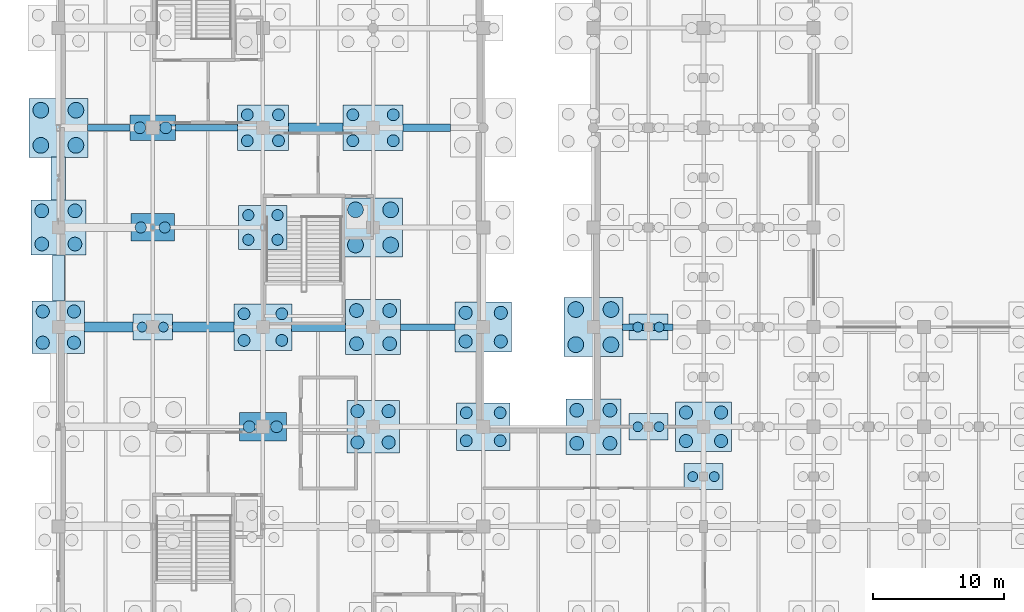
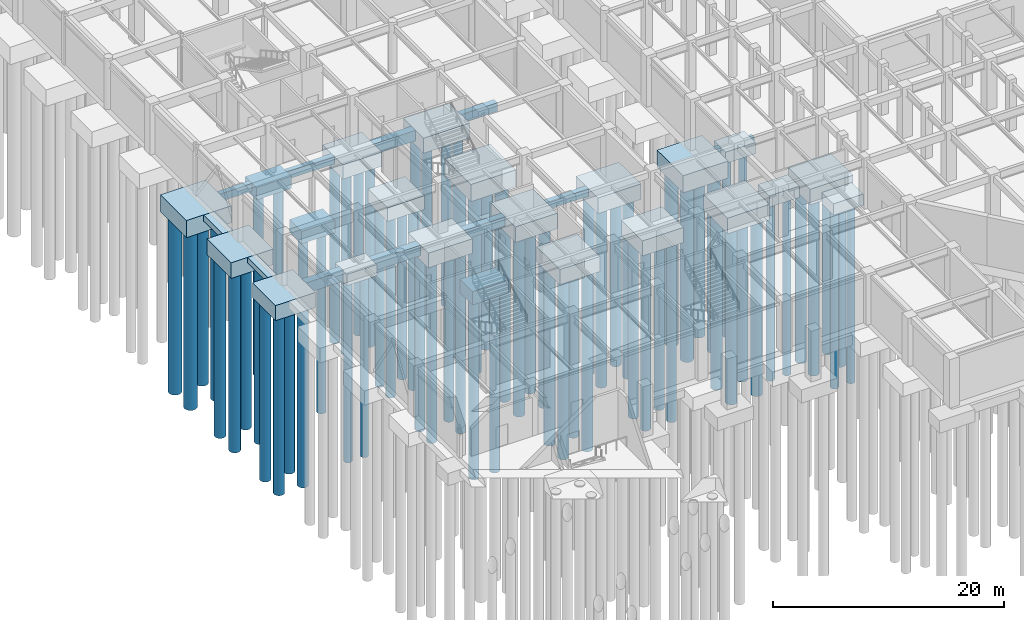
# One storey, part 3 of 52: 74 piles, 33 footings.
"""IFC4 building model written with IfcOpenShell, lengths in metres."""

import ifcopenshell
import ifcopenshell.guid

model = None  # the IFC model being written
_history = None  # IfcOwnerHistory: only IFC2X3 demands one
_inside = {}  # id of a spatial element -> (the spatial element, [elements in it])
_under = {}  # id of a project, library or spatial element -> (it, [spatial elements below it])
_declared = {}  # id of a project -> (the project, [libraries it declares])
_typed = {}  # id of a type object -> (the type object, [elements of that type])
_made_of = {}  # id of a material, layer set ... -> (it, [elements and type objects made of it])


def new_model(schema):
    """Start an empty IFC model of exactly this schema.

    Asked for "IFC4X3", IfcOpenShell would pick the latest addendum, in which some entities
    have other attributes; the version numbers below select the first issue.
    IFC2X3 requires an IfcOwnerHistory on every rooted entity: one is made here for all.
    """
    global model, _history
    if schema == "IFC4X3":
        model = ifcopenshell.file(schema_version=(4, 3, 0, 0))
    else:
        model = ifcopenshell.file(schema=schema)
    _inside.clear()
    _under.clear()
    _declared.clear()
    _typed.clear()
    _made_of.clear()
    _history = None
    if model.schema == "IFC2X3":
        org = make("IfcOrganization", Name="unknown")
        user = make(
            "IfcPersonAndOrganization",
            ThePerson=make("IfcPerson", FamilyName="unknown"),
            TheOrganization=org,
        )
        app = make(
            "IfcApplication",
            ApplicationDeveloper=org,
            Version="unknown",
            ApplicationFullName="unknown",
            ApplicationIdentifier="unknown",
        )
        _history = make(
            "IfcOwnerHistory",
            OwningUser=user,
            OwningApplication=app,
            ChangeAction="ADDED",
            CreationDate=0,
        )
    return model


def make(cls, **values):
    """One entity of the class cls with the attributes given. An attribute that is None is left unset."""
    return model.create_entity(
        cls, **{name: value for name, value in values.items() if value is not None}
    )


def rooted(cls, **values):
    """An entity with a GlobalId (a new one), such as an element, a storey or a relation."""
    return make(cls, GlobalId=ifcopenshell.guid.new(), OwnerHistory=_history, **values)


def si_unit(unit_type, name, prefix=None):
    """IfcSIUnit, for example si_unit("LENGTHUNIT", "METRE", prefix="MILLI")."""
    return make("IfcSIUnit", UnitType=unit_type, Prefix=prefix, Name=name)


def assignment(units):
    """IfcUnitAssignment: the units of a project."""
    return None if units is None else make("IfcUnitAssignment", Units=units)


def point(xyz):
    """IfcCartesianPoint."""
    return None if xyz is None else make("IfcCartesianPoint", Coordinates=xyz)


def direction(xyz):
    """IfcDirection."""
    return None if xyz is None else make("IfcDirection", DirectionRatios=xyz)


def frame(location, z_axis=None, x_axis=None):
    """IfcAxis2Placement3D, a coordinate frame: its origin and axes. An axis left out is left unset."""
    return make(
        "IfcAxis2Placement3D",
        Location=point(location),
        Axis=direction(z_axis),
        RefDirection=direction(x_axis),
    )


def frame_2d(location, x_axis=None):
    """IfcAxis2Placement2D, a coordinate frame in the plane: its origin and x axis."""
    return make(
        "IfcAxis2Placement2D", Location=point(location), RefDirection=direction(x_axis)
    )


def origin():
    """The frame at (0, 0, 0) with its axes left unset."""
    return frame((0.0, 0.0, 0.0))


def origin_2d():
    """The frame at (0, 0) in the plane with its x axis left unset."""
    return frame_2d((0.0, 0.0))


def place(relative_to, where):
    """IfcLocalPlacement: puts the frame where relative to a parent placement (None: the world)."""
    return make(
        "IfcLocalPlacement", PlacementRelTo=relative_to, RelativePlacement=where
    )


def context(
    kind, dimensions, precision=None, world=None, true_north=None, identifier=None
):
    """IfcGeometricRepresentationContext, for example the 3D "Model" context."""
    return make(
        "IfcGeometricRepresentationContext",
        ContextIdentifier=identifier,
        ContextType=kind,
        CoordinateSpaceDimension=dimensions,
        Precision=precision,
        WorldCoordinateSystem=world,
        TrueNorth=true_north,
    )


def subcontext(parent, identifier, kind, view, scale=None):
    """IfcGeometricRepresentationSubContext, for example "Body" below "Model"."""
    return make(
        "IfcGeometricRepresentationSubContext",
        ContextIdentifier=identifier,
        ContextType=kind,
        ParentContext=parent,
        TargetScale=scale,
        TargetView=view,
    )


def project(units=None, contexts=None):
    """IfcProject with its units and contexts."""
    return rooted(
        "IfcProject",
        Name="project",
        RepresentationContexts=contexts,
        UnitsInContext=assignment(units),
    )


def spatial(cls, under=None, at=None, **own):
    """A site, building, storey or space (cls), placed at a placement, below another one or the project."""
    s = rooted(cls, ObjectPlacement=at, **own)
    if under is not None:
        _under.setdefault(under.id(), (under, []))[1].append(s)
    return s


def profile(cls, at=None, kind="AREA", **sizes):
    """A parametric profile (cls). Its sizes go by their IFC names, for example OverallWidth=200.0."""
    return make(cls, ProfileType=kind, Position=at, **sizes)


def rectangle(**sizes):
    """IfcRectangleProfileDef."""
    return profile("IfcRectangleProfileDef", **sizes)


def circle(**sizes):
    """IfcCircleProfileDef."""
    return profile("IfcCircleProfileDef", **sizes)


def extrude(swept, where, along, depth):
    """IfcExtrudedAreaSolid: the profile swept, set in the frame where, extruded along a direction by depth."""
    return make(
        "IfcExtrudedAreaSolid",
        SweptArea=swept,
        Position=where,
        ExtrudedDirection=direction(along),
        Depth=depth,
    )


def shape(context_of_items, identifier, shape_type, items):
    """IfcShapeRepresentation: the items that make up one representation, for example the "Body"."""
    return make(
        "IfcShapeRepresentation",
        ContextOfItems=context_of_items,
        RepresentationIdentifier=identifier,
        RepresentationType=shape_type,
        Items=items,
    )


def material(Name=None, Category=None):
    """IfcMaterial."""
    return make("IfcMaterial", Name=Name, Category=Category)


def material_profile(
    of_material, cross_section, Name=None, Category=None, Priority=None
):
    """IfcMaterialProfile: a cross section and its material."""
    return make(
        "IfcMaterialProfile",
        Name=Name,
        Material=of_material,
        Profile=cross_section,
        Priority=Priority,
        Category=Category,
    )


def profile_set(profiles, Name=None, composite=None):
    """IfcMaterialProfileSet."""
    return make(
        "IfcMaterialProfileSet",
        Name=Name,
        MaterialProfiles=profiles,
        CompositeProfile=composite,
    )


def made_of(thing, what):
    """Note that an element or type object is made of a material, layer set ...; save() writes the relation."""
    if what is not None:
        _made_of.setdefault(what.id(), (what, []))[1].append(thing)
    return thing


def type_object(cls, material=None, **own):
    """A type object (cls), such as IfcWallType, which elements share."""
    return made_of(rooted(cls, **own), material)


def element(
    cls,
    number,
    at=None,
    inside=None,
    cuts=None,
    type_object=None,
    material=None,
    context=None,
    identifier="Body",
    shape_type=None,
    held_by="IfcProductDefinitionShape",
    body=None,
    shapes=None,
    **own,
):
    """One element of the class cls, such as IfcWall. Its Tag is "e" and its number.

    at: its placement. inside: the storey or other place that contains it. cuts: it is an
    opening in that element (IfcRelVoidsElement). A single representation is given by context,
    identifier, shape_type and body (its items); several are given by shapes. held_by: the class
    of the entity that holds the representations. save() writes the other relations.
    """
    e = rooted(cls, Tag="e%d" % number, ObjectPlacement=at, **own)
    if body is not None:
        shapes = [shape(context, identifier, shape_type, body)]
    if shapes is not None:
        e.Representation = make(held_by, Representations=shapes)
    if inside is not None:
        _inside.setdefault(inside.id(), (inside, []))[1].append(e)
    if cuts is not None:
        rooted(
            "IfcRelVoidsElement", RelatingBuildingElement=cuts, RelatedOpeningElement=e
        )
    if type_object is not None:
        _typed.setdefault(type_object.id(), (type_object, []))[1].append(e)
    return made_of(e, material)


def aggregate(whole, parts):
    """IfcRelAggregates: a whole, such as a stair, and the parts it consists of."""
    return rooted("IfcRelAggregates", RelatingObject=whole, RelatedObjects=parts)


def save(model, path):
    """Write the relations noted so far, then the file.

    IfcRelAggregates (storeys below a building ...), IfcRelContainedInSpatialStructure (elements
    in a storey), IfcRelDefinesByType, IfcRelAssociatesMaterial and IfcRelDeclares: one each for
    every whole, place, type object, material and project.
    """
    for whole, parts in _under.values():
        aggregate(whole, parts)
    for where, things in _inside.values():
        rooted(
            "IfcRelContainedInSpatialStructure",
            RelatedElements=things,
            RelatingStructure=where,
        )
    for kind, things in _typed.values():
        rooted("IfcRelDefinesByType", RelatedObjects=things, RelatingType=kind)
    for what, things in _made_of.values():
        rooted("IfcRelAssociatesMaterial", RelatedObjects=things, RelatingMaterial=what)
    for by, libraries in _declared.values():
        rooted("IfcRelDeclares", RelatingContext=by, RelatedDefinitions=libraries)
    model.write(path)


model = new_model("IFC4")

# Units and contexts
model_context = context("Model", 3, precision=1e-05, world=origin(), true_north=direction((0.0, 1.0)))
body_context = subcontext(model_context, "Body", "Model", "MODEL_VIEW")
ifc_project = project(units=[si_unit("LENGTHUNIT", "METRE"), si_unit("AREAUNIT", "SQUARE_METRE"), si_unit("VOLUMEUNIT", "CUBIC_METRE"), si_unit("PLANEANGLEUNIT", "RADIAN"), si_unit("MASSUNIT", "GRAM", prefix="KILO")], contexts=[model_context])

# Site, building, storey
site_placement = place(None, origin())
site = spatial("IfcSite", under=ifc_project, at=site_placement, CompositionType="ELEMENT")
building_placement = place(site_placement, origin())
building = spatial("IfcBuilding", under=site, at=building_placement, Name="Xicomal Pleat Aquarium", CompositionType="ELEMENT")
storey_placement = place(building_placement, frame((0.0, 0.0, -5.39990234375)))
storey = spatial("IfcBuildingStorey", under=building, at=storey_placement, Name="B1", CompositionType="ELEMENT", Elevation=-5.39990234375)

# Footings
ifc_material_1 = material(Name="Concrete C40/50", Category="concrete")
ifc_material_profile_1 = material_profile(ifc_material_1, rectangle(XDim=0.5, YDim=0.800048828125, at=origin_2d()), Name="FB-01 500x800")
ifc_profile_set_1 = profile_set([ifc_material_profile_1], Name="Concrete C40/50")
footing_type_1 = type_object("IfcFootingType", Name="FTG-FB-500x800", PredefinedType="FOOTING_BEAM", material=ifc_profile_set_1)
footing_1_placement = place(storey_placement, frame((5.239990234375, 60.800048828125, -1.0), z_axis=(1.0, 0.0, 0.0), x_axis=(0.0, 1.0, 0.0)))
element("IfcFooting", 1, at=footing_1_placement, inside=storey, type_object=footing_type_1, Name="Foundation tie beam 01-02/J", PredefinedType="FOOTING_BEAM", context=body_context, shape_type="SweptSolid", body=[
    extrude(rectangle(XDim=0.5, YDim=0.800048828125, at=origin_2d()), origin(), (0.0, 0.0, 1.0), 3.219970703125),
])
footing_2_placement = place(storey_placement, frame((11.93994140625, 60.800048828125, -1.0), z_axis=(1.0, 0.0, 0.0), x_axis=(0.0, 1.0, 0.0)))
element("IfcFooting", 2, at=footing_2_placement, inside=storey, type_object=footing_type_1, Name="Foundation tie beam 02-03/J", PredefinedType="FOOTING_BEAM", context=body_context, shape_type="SweptSolid", body=[
    extrude(rectangle(XDim=0.5, YDim=0.800048828125, at=origin_2d()), origin(), (0.0, 0.0, 1.0), 4.719970703125),
])
footing_3_placement = place(storey_placement, frame((29.090087890625, 45.60009765625, -1.0), z_axis=(1.0, 0.0, 0.0), x_axis=(0.0, 1.0, 0.0)))
element("IfcFooting", 3, at=footing_3_placement, inside=storey, type_object=footing_type_1, Name="Foundation tie beam 04-05/G", PredefinedType="FOOTING_BEAM", context=body_context, shape_type="SweptSolid", body=[
    extrude(rectangle(XDim=0.5, YDim=0.800048828125, at=origin_2d()), origin(), (0.0, 0.0, 1.0), 4.169921875),
])
footing_4_placement = place(storey_placement, frame((46.0400390625, 45.60009765625, -1.35009765625), z_axis=(1.0, 0.0, 0.0), x_axis=(0.0, 1.0, 0.0)))
element("IfcFooting", 4, at=footing_4_placement, inside=storey, type_object=footing_type_1, Name="Foundation tie beam 06-07/G", PredefinedType="FOOTING_BEAM", context=body_context, shape_type="SweptSolid", body=[
    extrude(rectangle(XDim=0.5, YDim=0.800048828125, at=origin_2d()), origin(), (0.0, 0.0, 1.0), 3.820068359375),
])
ifc_material_2 = material(Name="Concrete C40/50", Category="concrete")
ifc_material_profile_2 = material_profile(ifc_material_2, rectangle(XDim=0.60009765625, YDim=0.89990234375, at=origin_2d()), Name="FB-02 600x900")
ifc_profile_set_2 = profile_set([ifc_material_profile_2], Name="Concrete C40/50")
footing_type_2 = type_object("IfcFootingType", Name="FTG-FB-600x900", PredefinedType="FOOTING_BEAM", material=ifc_profile_set_2)
footing_5_placement = place(storey_placement, frame((29.2900390625, 60.800048828125, -1.050048828125), z_axis=(1.0, 0.0, 0.0), x_axis=(0.0, 1.0, 0.0)))
element("IfcFooting", 5, at=footing_5_placement, inside=storey, type_object=footing_type_2, Name="Foundation tie beam 04-05/J", PredefinedType="FOOTING_BEAM", context=body_context, shape_type="SweptSolid", body=[
    extrude(rectangle(XDim=0.60009765625, YDim=0.89990234375, at=origin_2d()), origin(), (0.0, 0.0, 1.0), 3.619873046875),
])
ifc_material_3 = material(Name="Concrete C40/50", Category="concrete")
ifc_material_profile_3 = material_profile(ifc_material_3, rectangle(XDim=0.64990234375, YDim=1.0, at=origin_2d()), Name="FB-03 650x1000")
ifc_profile_set_3 = profile_set([ifc_material_profile_3], Name="Concrete C40/50")
footing_type_3 = type_object("IfcFootingType", Name="FTG-FB-650x1000", PredefinedType="FOOTING_BEAM", material=ifc_profile_set_3)
footing_6_placement = place(storey_placement, frame((20.7900390625, 45.60009765625, -1.10009765625), z_axis=(1.0, 0.0, 0.0), x_axis=(0.0, 1.0, 0.0)))
element("IfcFooting", 6, at=footing_6_placement, inside=storey, type_object=footing_type_3, Name="Foundation tie beam 03-04/G", PredefinedType="FOOTING_BEAM", context=body_context, shape_type="SweptSolid", body=[
    extrude(rectangle(XDim=0.64990234375, YDim=1.0, at=origin_2d()), origin(), (0.0, 0.0, 1.0), 4.119873046875),
])
ifc_material_4 = material(Name="Concrete C40/50", Category="concrete")
ifc_material_profile_4 = material_profile(ifc_material_4, rectangle(XDim=0.75, YDim=1.10009765625, at=origin_2d()), Name="FB-04 750x1100")
ifc_profile_set_4 = profile_set([ifc_material_profile_4], Name="Concrete C40/50")
footing_type_4 = type_object("IfcFootingType", Name="FTG-FB-750x1100", PredefinedType="FOOTING_BEAM", material=ifc_profile_set_4)
footing_7_placement = place(storey_placement, frame((4.989990234375, 45.60009765625, -1.150146484375), z_axis=(1.0, 0.0, 0.0), x_axis=(0.0, 1.0, 0.0)))
element("IfcFooting", 7, at=footing_7_placement, inside=storey, type_object=footing_type_4, Name="Foundation tie beam 01-02/G", PredefinedType="FOOTING_BEAM", context=body_context, shape_type="SweptSolid", body=[
    extrude(rectangle(XDim=0.75, YDim=1.10009765625, at=origin_2d()), origin(), (0.0, 0.0, 1.0), 3.719970703125),
])
footing_8_placement = place(storey_placement, frame((11.68994140625, 45.60009765625, -1.150146484375), z_axis=(1.0, 0.0, 0.0), x_axis=(0.0, 1.0, 0.0)))
element("IfcFooting", 8, at=footing_8_placement, inside=storey, type_object=footing_type_4, Name="Foundation tie beam 02-03/G", PredefinedType="FOOTING_BEAM", context=body_context, shape_type="SweptSolid", body=[
    extrude(rectangle(XDim=0.75, YDim=1.10009765625, at=origin_2d()), origin(), (0.0, 0.0, 1.0), 4.719970703125),
])
footing_9_placement = place(storey_placement, frame((20.5400390625, 60.800048828125, -1.150146484375), z_axis=(1.0, 0.0, 0.0), x_axis=(0.0, 1.0, 0.0)))
element("IfcFooting", 9, at=footing_9_placement, inside=storey, type_object=footing_type_4, Name="Foundation tie beam 03-04/J", PredefinedType="FOOTING_BEAM", context=body_context, shape_type="SweptSolid", body=[
    extrude(rectangle(XDim=0.75, YDim=1.10009765625, at=origin_2d()), origin(), (0.0, 0.0, 1.0), 4.169921875),
])
ifc_material_5 = material(Name="Concrete C40/50", Category="concrete")
footing_type_5 = type_object("IfcFootingType", Name="FTG-PC-3000x2000x1200", PredefinedType="PILE_CAP", material=ifc_material_5)
for number, where, z_axis, x_axis, name in (
    (10, (10.199951171875, 45.60009765625, -1.80029296875), (0.0, 0.0, 1.0), (1.0, 0.0, 0.0), "Pile cap 02-G"),
    (11, (48.0, 38.0, -2.14990234375), (0.0, 0.0, 1.0), (1.0, 0.0, 0.0), "Pile cap SUB-01"),
    (12, (48.0, 45.60009765625, -2.14990234375), (0.0, 0.0, 1.0), (1.0, 0.0, 0.0), "Pile cap SUB-02"),
    (13, (52.199951171875, 34.199951171875, -2.14990234375), (0.0, 0.0, 1.0), (1.0, 0.0, 0.0), "Pile cap SUB-34"),
):
    element("IfcFooting", number, at=place(storey_placement, frame(where, z_axis=z_axis, x_axis=x_axis)), inside=storey, type_object=footing_type_5, Name=name, PredefinedType="PILE_CAP", context=body_context, shape_type="SweptSolid", body=[
        extrude(rectangle(XDim=3.0, YDim=2.0, at=origin_2d()), origin(), (0.0, 0.0, 1.0), 1.199951171875),
    ])
ifc_material_6 = material(Name="Concrete C40/50", Category="concrete")
footing_type_6 = type_object("IfcFootingType", Name="FTG-PC-3300x2100x1300", PredefinedType="PILE_CAP", material=ifc_material_6)
footing_10_placement = place(storey_placement, frame((10.199951171875, 53.199951171875, -1.89990234375), z_axis=(0.0, 0.0, 1.0), x_axis=(1.0, 0.0, 0.0)))
element("IfcFooting", 14, at=footing_10_placement, inside=storey, type_object=footing_type_6, Name="Pile cap 02-H", PredefinedType="PILE_CAP", context=body_context, shape_type="SweptSolid", body=[
    extrude(rectangle(XDim=3.300048828125, YDim=2.10009765625, at=origin_2d()), origin(), (0.0, 0.0, 1.0), 1.300048828125),
])
ifc_material_7 = material(Name="Concrete C40/50", Category="concrete")
footing_type_7 = type_object("IfcFootingType", Name="FTG-PC-3500x1950x1300", PredefinedType="PILE_CAP", material=ifc_material_7)
footing_11_placement = place(storey_placement, frame((10.199951171875, 60.800048828125, -1.89990234375), z_axis=(0.0, 0.0, 1.0), x_axis=(1.0, 0.0, 0.0)))
element("IfcFooting", 15, at=footing_11_placement, inside=storey, type_object=footing_type_7, Name="Pile cap 02-J", PredefinedType="PILE_CAP", context=body_context, shape_type="SweptSolid", body=[
    extrude(rectangle(XDim=3.5, YDim=1.949951171875, at=origin_2d()), origin(), (0.0, 0.0, 1.0), 1.300048828125),
])
ifc_material_8 = material(Name="Concrete C40/50", Category="concrete")
footing_type_8 = type_object("IfcFootingType", Name="FTG-PC-3600x2200x1400", PredefinedType="PILE_CAP", material=ifc_material_8)
footing_12_placement = place(storey_placement, frame((18.60009765625, 38.0, -2.0), z_axis=(0.0, 0.0, 1.0), x_axis=(1.0, 0.0, 0.0)))
element("IfcFooting", 16, at=footing_12_placement, inside=storey, type_object=footing_type_8, Name="Pile cap 03-F", PredefinedType="PILE_CAP", context=body_context, shape_type="SweptSolid", body=[
    extrude(rectangle(XDim=3.60009765625, YDim=2.199951171875, at=origin_2d()), origin(), (0.0, 0.0, 1.0), 1.39990234375),
])
ifc_material_9 = material(Name="Concrete C40/50", Category="concrete")
footing_type_9 = type_object("IfcFootingType", Name="FTG-PC-3700x3350x1450", PredefinedType="PILE_CAP", material=ifc_material_9)
footing_13_placement = place(storey_placement, frame((18.60009765625, 53.199951171875, -2.05029296875), z_axis=(0.0, 0.0, 1.0), x_axis=(1.0, 0.0, 0.0)))
element("IfcFooting", 17, at=footing_13_placement, inside=storey, type_object=footing_type_9, Name="Pile cap 03-H", PredefinedType="PILE_CAP", context=body_context, shape_type="SweptSolid", body=[
    extrude(rectangle(XDim=3.699951171875, YDim=3.35009765625, at=origin_2d()), origin(), (0.0, 0.0, 1.0), 1.449951171875),
])
ifc_material_10 = material(Name="Concrete C40/50", Category="concrete")
footing_type_10 = type_object("IfcFootingType", Name="FTG-PC-3900x3500x1500", PredefinedType="PILE_CAP", material=ifc_material_10)
footing_14_placement = place(storey_placement, frame((18.60009765625, 60.800048828125, -2.10009765625), z_axis=(0.0, 0.0, 1.0), x_axis=(1.0, 0.0, 0.0)))
element("IfcFooting", 18, at=footing_14_placement, inside=storey, type_object=footing_type_10, Name="Pile cap 03-J", PredefinedType="PILE_CAP", context=body_context, shape_type="SweptSolid", body=[
    extrude(rectangle(XDim=3.89990234375, YDim=3.5, at=origin_2d()), origin(), (0.0, 0.0, 1.0), 1.5),
])
ifc_material_11 = material(Name="Concrete C40/50", Category="concrete")
footing_type_11 = type_object("IfcFootingType", Name="FTG-PC-4000x4000x1600", PredefinedType="PILE_CAP", material=ifc_material_11)
for number, where, z_axis, x_axis, name in (
    (19, (3.0, 45.60009765625, -2.2001953125), (0.0, 0.0, 1.0), (1.0, 0.0, 0.0), "Pile cap 01-G"),
    (20, (27.0, 38.0, -2.2001953125), (0.0, 0.0, 1.0), (1.0, 0.0, 0.0), "Pile cap 04-F"),
):
    element("IfcFooting", number, at=place(storey_placement, frame(where, z_axis=z_axis, x_axis=x_axis)), inside=storey, type_object=footing_type_11, Name=name, PredefinedType="PILE_CAP", context=body_context, shape_type="SweptSolid", body=[
        extrude(rectangle(XDim=4.0, YDim=4.0, at=origin_2d()), origin(), (0.0, 0.0, 1.0), 1.60009765625),
    ])
ifc_material_12 = material(Name="Concrete C40/50", Category="concrete")
footing_type_12 = type_object("IfcFootingType", Name="FTG-PC-4100x3650x1600", PredefinedType="PILE_CAP", material=ifc_material_12)
footing_15_placement = place(storey_placement, frame((35.39990234375, 38.0, -2.2001953125), z_axis=(0.0, 0.0, 1.0), x_axis=(1.0, 0.0, 0.0)))
element("IfcFooting", 21, at=footing_15_placement, inside=storey, type_object=footing_type_12, Name="Pile cap 05-F", PredefinedType="PILE_CAP", context=body_context, shape_type="SweptSolid", body=[
    extrude(rectangle(XDim=4.10009765625, YDim=3.64990234375, at=origin_2d()), origin(), (0.0, 0.0, 1.0), 1.60009765625),
])
ifc_material_13 = material(Name="Concrete C40/50", Category="concrete")
footing_type_13 = type_object("IfcFootingType", Name="FTG-PC-4200x4200x1650", PredefinedType="PILE_CAP", material=ifc_material_13)
for number, where, z_axis, x_axis, name in (
    (22, (3.0, 53.199951171875, -2.25), (0.0, 0.0, 1.0), (1.0, 0.0, 0.0), "Pile cap 01-H"),
    (23, (27.0, 45.60009765625, -2.25), (0.0, 0.0, 1.0), (1.0, 0.0, 0.0), "Pile cap 04-G"),
    (24, (43.800048828125, 38.0, -2.60009765625), (0.0, 0.0, 1.0), (1.0, 0.0, 0.0), "Pile cap 06-F"),
):
    element("IfcFooting", number, at=place(storey_placement, frame(where, z_axis=z_axis, x_axis=x_axis)), inside=storey, type_object=footing_type_13, Name=name, PredefinedType="PILE_CAP", context=body_context, shape_type="SweptSolid", body=[
        extrude(rectangle(XDim=4.199951171875, YDim=4.199951171875, at=origin_2d()), origin(), (0.0, 0.0, 1.0), 1.64990234375),
    ])
ifc_material_14 = material(Name="Concrete C40/50", Category="concrete")
footing_type_14 = type_object("IfcFootingType", Name="FTG-PC-4300x3800x1650", PredefinedType="PILE_CAP", material=ifc_material_14)
for number, where, z_axis, x_axis, name in (
    (25, (35.39990234375, 45.60009765625, -2.25), (0.0, 0.0, 1.0), (1.0, 0.0, 0.0), "Pile cap 05-G"),
    (26, (52.199951171875, 38.0, -2.60009765625), (0.0, 0.0, 1.0), (1.0, 0.0, 0.0), "Pile cap 07-F"),
):
    element("IfcFooting", number, at=place(storey_placement, frame(where, z_axis=z_axis, x_axis=x_axis)), inside=storey, type_object=footing_type_14, Name=name, PredefinedType="PILE_CAP", context=body_context, shape_type="SweptSolid", body=[
        extrude(rectangle(XDim=4.300048828125, YDim=3.800048828125, at=origin_2d()), origin(), (0.0, 0.0, 1.0), 1.64990234375),
    ])
ifc_material_15 = material(Name="Concrete C40/50", Category="concrete")
footing_type_15 = type_object("IfcFootingType", Name="FTG-PC-4400x3550x1550", PredefinedType="PILE_CAP", material=ifc_material_15)
footing_16_placement = place(storey_placement, frame((18.60009765625, 45.60009765625, -2.14990234375), z_axis=(0.0, 0.0, 1.0), x_axis=(1.0, 0.0, 0.0)))
element("IfcFooting", 27, at=footing_16_placement, inside=storey, type_object=footing_type_15, Name="Pile cap 03-G", PredefinedType="PILE_CAP", context=body_context, shape_type="SweptSolid", body=[
    extrude(rectangle(XDim=4.39990234375, YDim=3.550048828125, at=origin_2d()), origin(), (0.0, 0.0, 1.0), 1.550048828125),
])
ifc_material_16 = material(Name="Concrete C40/50", Category="concrete")
footing_type_16 = type_object("IfcFootingType", Name="FTG-PC-4500x4500x1800", PredefinedType="PILE_CAP", material=ifc_material_16)
for number, where, z_axis, x_axis, name in (
    (28, (3.0, 60.800048828125, -2.39990234375), (0.0, 0.0, 1.0), (1.0, 0.0, 0.0), "Pile cap 01-J"),
    (29, (27.0, 53.199951171875, -2.39990234375), (0.0, 0.0, 1.0), (1.0, 0.0, 0.0), "Pile cap 04-H"),
    (30, (43.800048828125, 45.60009765625, -2.75), (0.0, 0.0, 1.0), (1.0, 0.0, 0.0), "Pile cap 06-G"),
):
    element("IfcFooting", number, at=place(storey_placement, frame(where, z_axis=z_axis, x_axis=x_axis)), inside=storey, type_object=footing_type_16, Name=name, PredefinedType="PILE_CAP", context=body_context, shape_type="SweptSolid", body=[
        extrude(rectangle(XDim=4.5, YDim=4.5, at=origin_2d()), origin(), (0.0, 0.0, 1.0), 1.800048828125),
    ])
ifc_material_17 = material(Name="Concrete C40/50", Category="concrete")
footing_type_17 = type_object("IfcFootingType", Name="FTG-PC-4600x3500x1600", PredefinedType="PILE_CAP", material=ifc_material_17)
footing_17_placement = place(storey_placement, frame((27.0, 60.800048828125, -2.2001953125), z_axis=(0.0, 0.0, 1.0), x_axis=(1.0, 0.0, 0.0)))
element("IfcFooting", 31, at=footing_17_placement, inside=storey, type_object=footing_type_17, Name="Pile cap 04-J", PredefinedType="PILE_CAP", context=body_context, shape_type="SweptSolid", body=[
    extrude(rectangle(XDim=4.60009765625, YDim=3.5, at=origin_2d()), origin(), (0.0, 0.0, 1.0), 1.60009765625),
])
ifc_material_18 = material(Name="Concrete C40/50", Category="concrete")
ifc_material_profile_5 = material_profile(ifc_material_18, rectangle(XDim=1.10009765625, YDim=0.64990234375, at=origin_2d()), Name="SF-02 1100x650")
ifc_profile_set_5 = profile_set([ifc_material_profile_5], Name="Concrete C40/50")
footing_type_18 = type_object("IfcFootingType", Name="FTG-SF-1100x650", PredefinedType="STRIP_FOOTING", material=ifc_profile_set_5)
footing_18_placement = place(storey_placement, frame((3.0, 55.2900390625, -0.925048828125), z_axis=(0.0, 1.0, 0.0), x_axis=(-1.0, 0.0, 0.0)))
element("IfcFooting", 32, at=footing_18_placement, inside=storey, type_object=footing_type_18, Name="Perimeter retaining wall strip footing 01/H-J", PredefinedType="STRIP_FOOTING", context=body_context, shape_type="SweptSolid", body=[
    extrude(rectangle(XDim=1.10009765625, YDim=0.64990234375, at=origin_2d()), origin(), (0.0, 0.0, 1.0), 3.27001953125),
])
ifc_material_19 = material(Name="Concrete C40/50", Category="concrete")
ifc_material_profile_6 = material_profile(ifc_material_19, rectangle(XDim=0.89990234375, YDim=0.60009765625, at=origin_2d()), Name="SF-01 900x600")
ifc_profile_set_6 = profile_set([ifc_material_profile_6], Name="Concrete C40/50")
footing_type_19 = type_object("IfcFootingType", Name="FTG-SF-900x600", PredefinedType="STRIP_FOOTING", material=ifc_profile_set_6)
footing_19_placement = place(storey_placement, frame((3.0, 47.590087890625, -0.900146484375), z_axis=(0.0, 1.0, 0.0), x_axis=(-1.0, 0.0, 0.0)))
element("IfcFooting", 33, at=footing_19_placement, inside=storey, type_object=footing_type_19, Name="Perimeter retaining wall strip footing 01/G-H", PredefinedType="STRIP_FOOTING", context=body_context, shape_type="SweptSolid", body=[
    extrude(rectangle(XDim=0.89990234375, YDim=0.60009765625, at=origin_2d()), origin(), (0.0, 0.0, 1.0), 3.52001953125),
])

# Piles
ifc_material_20 = material(Name="Concrete C40/50", Category="concrete")
ifc_material_profile_7 = material_profile(ifc_material_20, circle(Radius=0.5, at=origin_2d()), Name="BORED PILE D1000")
ifc_profile_set_7 = profile_set([ifc_material_profile_7], Name="Concrete C40/50")
pile_type_1 = type_object("IfcPileType", Name="PIL-B-1000", PredefinedType="BORED", material=ifc_profile_set_7)
for number, where, z_axis, x_axis, name in (
    (34, (1.81005859375, 44.409912109375, -2.10009765625), (0.0, 0.0, -1.0), (1.0, 0.0, 0.0), "Bored pile 01-G-1"),
    (35, (4.18994140625, 44.409912109375, -2.10009765625), (0.0, 0.0, -1.0), (1.0, 0.0, 0.0), "Bored pile 01-G-2"),
    (36, (1.81005859375, 46.7900390625, -2.10009765625), (0.0, 0.0, -1.0), (1.0, 0.0, 0.0), "Bored pile 01-G-3"),
    (37, (4.18994140625, 46.7900390625, -2.10009765625), (0.0, 0.0, -1.0), (1.0, 0.0, 0.0), "Bored pile 01-G-4"),
    (38, (25.81005859375, 36.81005859375, -2.10009765625), (0.0, 0.0, -1.0), (1.0, 0.0, 0.0), "Bored pile 04-F-1"),
    (39, (28.18994140625, 36.81005859375, -2.10009765625), (0.0, 0.0, -1.0), (1.0, 0.0, 0.0), "Bored pile 04-F-2"),
    (40, (25.81005859375, 39.18994140625, -2.10009765625), (0.0, 0.0, -1.0), (1.0, 0.0, 0.0), "Bored pile 04-F-3"),
    (41, (28.18994140625, 39.18994140625, -2.10009765625), (0.0, 0.0, -1.0), (1.0, 0.0, 0.0), "Bored pile 04-F-4"),
):
    element("IfcPile", number, at=place(storey_placement, frame(where, z_axis=z_axis, x_axis=x_axis)), inside=storey, type_object=pile_type_1, Name=name, PredefinedType="BORED", context=body_context, shape_type="SweptSolid", body=[
        extrude(circle(Radius=0.5, at=origin_2d()), origin(), (0.0, 0.0, 1.0), 19.0),
    ])
for number, where, z_axis, x_axis, name in (
    (42, (34.06005859375, 44.510009765625, -2.150146484375), (0.0, 0.0, -1.0), (1.0, 0.0, 0.0), "Bored pile 05-G-1"),
    (43, (36.739990234375, 44.510009765625, -2.150146484375), (0.0, 0.0, -1.0), (1.0, 0.0, 0.0), "Bored pile 05-G-2"),
    (44, (34.06005859375, 46.68994140625, -2.150146484375), (0.0, 0.0, -1.0), (1.0, 0.0, 0.0), "Bored pile 05-G-3"),
    (45, (36.739990234375, 46.68994140625, -2.150146484375), (0.0, 0.0, -1.0), (1.0, 0.0, 0.0), "Bored pile 05-G-4"),
):
    element("IfcPile", number, at=place(storey_placement, frame(where, z_axis=z_axis, x_axis=x_axis)), inside=storey, type_object=pile_type_1, Name=name, PredefinedType="BORED", context=body_context, shape_type="SweptSolid", body=[
        extrude(circle(Radius=0.5, at=origin_2d()), origin(), (0.0, 0.0, 1.0), 18.949951171875),
    ])
for number, where, z_axis, x_axis, name in (
    (46, (50.860107421875, 36.909912109375, -2.5), (0.0, 0.0, -1.0), (1.0, 0.0, 0.0), "Bored pile 07-F-1"),
    (47, (53.5400390625, 36.909912109375, -2.5), (0.0, 0.0, -1.0), (1.0, 0.0, 0.0), "Bored pile 07-F-2"),
    (48, (50.860107421875, 39.090087890625, -2.5), (0.0, 0.0, -1.0), (1.0, 0.0, 0.0), "Bored pile 07-F-3"),
    (49, (53.5400390625, 39.090087890625, -2.5), (0.0, 0.0, -1.0), (1.0, 0.0, 0.0), "Bored pile 07-F-4"),
):
    element("IfcPile", number, at=place(storey_placement, frame(where, z_axis=z_axis, x_axis=x_axis)), inside=storey, type_object=pile_type_1, Name=name, PredefinedType="BORED", context=body_context, shape_type="SweptSolid", body=[
        extrude(circle(Radius=0.5, at=origin_2d()), origin(), (0.0, 0.0, 1.0), 18.60009765625),
    ])
ifc_material_21 = material(Name="Concrete C40/50", Category="concrete")
ifc_material_profile_8 = material_profile(ifc_material_21, circle(Radius=0.52490234375, at=origin_2d()), Name="BORED PILE D1050")
ifc_profile_set_8 = profile_set([ifc_material_profile_8], Name="Concrete C40/50")
pile_type_2 = type_object("IfcPileType", Name="PIL-B-1050", PredefinedType="BORED", material=ifc_profile_set_8)
for number, where, z_axis, x_axis, name in (
    (50, (1.735107421875, 51.93505859375, -2.150146484375), (0.0, 0.0, -1.0), (1.0, 0.0, 0.0), "Bored pile 01-H-1"),
    (51, (4.264892578125, 51.93505859375, -2.150146484375), (0.0, 0.0, -1.0), (1.0, 0.0, 0.0), "Bored pile 01-H-2"),
    (52, (1.735107421875, 54.465087890625, -2.150146484375), (0.0, 0.0, -1.0), (1.0, 0.0, 0.0), "Bored pile 01-H-3"),
    (53, (4.264892578125, 54.465087890625, -2.150146484375), (0.0, 0.0, -1.0), (1.0, 0.0, 0.0), "Bored pile 01-H-4"),
    (54, (25.735107421875, 44.3349609375, -2.150146484375), (0.0, 0.0, -1.0), (1.0, 0.0, 0.0), "Bored pile 04-G-1"),
    (55, (28.264892578125, 44.3349609375, -2.150146484375), (0.0, 0.0, -1.0), (1.0, 0.0, 0.0), "Bored pile 04-G-2"),
    (56, (25.735107421875, 46.864990234375, -2.150146484375), (0.0, 0.0, -1.0), (1.0, 0.0, 0.0), "Bored pile 04-G-3"),
    (57, (28.264892578125, 46.864990234375, -2.150146484375), (0.0, 0.0, -1.0), (1.0, 0.0, 0.0), "Bored pile 04-G-4"),
):
    element("IfcPile", number, at=place(storey_placement, frame(where, z_axis=z_axis, x_axis=x_axis)), inside=storey, type_object=pile_type_2, Name=name, PredefinedType="BORED", context=body_context, shape_type="SweptSolid", body=[
        extrude(circle(Radius=0.52490234375, at=origin_2d()), origin(), (0.0, 0.0, 1.0), 18.949951171875),
    ])
for number, where, z_axis, x_axis, name in (
    (58, (42.534912109375, 36.735107421875, -2.5), (0.0, 0.0, -1.0), (1.0, 0.0, 0.0), "Bored pile 06-F-1"),
    (59, (45.06494140625, 36.735107421875, -2.5), (0.0, 0.0, -1.0), (1.0, 0.0, 0.0), "Bored pile 06-F-2"),
    (60, (42.534912109375, 39.264892578125, -2.5), (0.0, 0.0, -1.0), (1.0, 0.0, 0.0), "Bored pile 06-F-3"),
    (61, (45.06494140625, 39.264892578125, -2.5), (0.0, 0.0, -1.0), (1.0, 0.0, 0.0), "Bored pile 06-F-4"),
):
    element("IfcPile", number, at=place(storey_placement, frame(where, z_axis=z_axis, x_axis=x_axis)), inside=storey, type_object=pile_type_2, Name=name, PredefinedType="BORED", context=body_context, shape_type="SweptSolid", body=[
        extrude(circle(Radius=0.52490234375, at=origin_2d()), origin(), (0.0, 0.0, 1.0), 18.60009765625),
    ])
ifc_material_22 = material(Name="Concrete C40/50", Category="concrete")
ifc_material_profile_9 = material_profile(ifc_material_22, circle(Radius=0.60009765625, at=origin_2d()), Name="BORED PILE D1200")
ifc_profile_set_9 = profile_set([ifc_material_profile_9], Name="Concrete C40/50")
pile_type_3 = type_object("IfcPileType", Name="PIL-B-1200", PredefinedType="BORED", material=ifc_profile_set_9)
for number, where, z_axis, x_axis, name in (
    (62, (1.659912109375, 59.4599609375, -2.300048828125), (0.0, 0.0, -1.0), (1.0, 0.0, 0.0), "Bored pile 01-J-1"),
    (63, (4.340087890625, 59.4599609375, -2.300048828125), (0.0, 0.0, -1.0), (1.0, 0.0, 0.0), "Bored pile 01-J-2"),
    (64, (1.659912109375, 62.139892578125, -2.300048828125), (0.0, 0.0, -1.0), (1.0, 0.0, 0.0), "Bored pile 01-J-3"),
    (65, (4.340087890625, 62.139892578125, -2.300048828125), (0.0, 0.0, -1.0), (1.0, 0.0, 0.0), "Bored pile 01-J-4"),
    (66, (25.659912109375, 51.860107421875, -2.300048828125), (0.0, 0.0, -1.0), (1.0, 0.0, 0.0), "Bored pile 04-H-1"),
    (67, (28.340087890625, 51.860107421875, -2.300048828125), (0.0, 0.0, -1.0), (1.0, 0.0, 0.0), "Bored pile 04-H-2"),
    (68, (25.659912109375, 54.5400390625, -2.300048828125), (0.0, 0.0, -1.0), (1.0, 0.0, 0.0), "Bored pile 04-H-3"),
    (69, (28.340087890625, 54.5400390625, -2.300048828125), (0.0, 0.0, -1.0), (1.0, 0.0, 0.0), "Bored pile 04-H-4"),
):
    element("IfcPile", number, at=place(storey_placement, frame(where, z_axis=z_axis, x_axis=x_axis)), inside=storey, type_object=pile_type_3, Name=name, PredefinedType="BORED", context=body_context, shape_type="SweptSolid", body=[
        extrude(circle(Radius=0.60009765625, at=origin_2d()), origin(), (0.0, 0.0, 1.0), 18.800048828125),
    ])
for number, where, z_axis, x_axis, name in (
    (70, (42.4599609375, 44.260009765625, -2.650146484375), (0.0, 0.0, -1.0), (1.0, 0.0, 0.0), "Bored pile 06-G-1"),
    (71, (45.139892578125, 44.260009765625, -2.650146484375), (0.0, 0.0, -1.0), (1.0, 0.0, 0.0), "Bored pile 06-G-2"),
    (72, (42.4599609375, 46.93994140625, -2.650146484375), (0.0, 0.0, -1.0), (1.0, 0.0, 0.0), "Bored pile 06-G-3"),
    (73, (45.139892578125, 46.93994140625, -2.650146484375), (0.0, 0.0, -1.0), (1.0, 0.0, 0.0), "Bored pile 06-G-4"),
):
    element("IfcPile", number, at=place(storey_placement, frame(where, z_axis=z_axis, x_axis=x_axis)), inside=storey, type_object=pile_type_3, Name=name, PredefinedType="BORED", context=body_context, shape_type="SweptSolid", body=[
        extrude(circle(Radius=0.60009765625, at=origin_2d()), origin(), (0.0, 0.0, 1.0), 18.449951171875),
    ])
ifc_material_23 = material(Name="Concrete C40/50", Category="concrete")
ifc_material_profile_10 = material_profile(ifc_material_23, circle(Radius=0.375, at=origin_2d()), Name="BORED PILE D750")
ifc_profile_set_10 = profile_set([ifc_material_profile_10], Name="Concrete C40/50")
pile_type_4 = type_object("IfcPileType", Name="PIL-B-750", PredefinedType="BORED", material=ifc_profile_set_10)
for number, where, z_axis, x_axis, name in (
    (74, (9.385009765625, 45.60009765625, -1.7001953125), (0.0, 0.0, -1.0), (1.0, 0.0, 0.0), "Bored pile 02-G-1"),
    (75, (11.014892578125, 45.60009765625, -1.7001953125), (0.0, 0.0, -1.0), (1.0, 0.0, 0.0), "Bored pile 02-G-2"),
):
    element("IfcPile", number, at=place(storey_placement, frame(where, z_axis=z_axis, x_axis=x_axis)), inside=storey, type_object=pile_type_4, Name=name, PredefinedType="BORED", context=body_context, shape_type="SweptSolid", body=[
        extrude(circle(Radius=0.375, at=origin_2d()), origin(), (0.0, 0.0, 1.0), 19.39990234375),
    ])
for number, where, z_axis, x_axis, name in (
    (76, (47.18505859375, 38.0, -2.050048828125), (0.0, 0.0, -1.0), (1.0, 0.0, 0.0), "Bored pile SUB-01-1"),
    (77, (48.81494140625, 38.0, -2.050048828125), (0.0, 0.0, -1.0), (1.0, 0.0, 0.0), "Bored pile SUB-01-2"),
    (78, (47.18505859375, 45.60009765625, -2.050048828125), (0.0, 0.0, -1.0), (1.0, 0.0, 0.0), "Bored pile SUB-02-1"),
    (79, (48.81494140625, 45.60009765625, -2.050048828125), (0.0, 0.0, -1.0), (1.0, 0.0, 0.0), "Bored pile SUB-02-2"),
    (80, (51.385009765625, 34.199951171875, -2.050048828125), (0.0, 0.0, -1.0), (1.0, 0.0, 0.0), "Bored pile SUB-34-1"),
    (81, (53.014892578125, 34.199951171875, -2.050048828125), (0.0, 0.0, -1.0), (1.0, 0.0, 0.0), "Bored pile SUB-34-2"),
):
    element("IfcPile", number, at=place(storey_placement, frame(where, z_axis=z_axis, x_axis=x_axis)), inside=storey, type_object=pile_type_4, Name=name, PredefinedType="BORED", context=body_context, shape_type="SweptSolid", body=[
        extrude(circle(Radius=0.375, at=origin_2d()), origin(), (0.0, 0.0, 1.0), 19.050048828125),
    ])
ifc_material_24 = material(Name="Concrete C40/50", Category="concrete")
ifc_material_profile_11 = material_profile(ifc_material_24, circle(Radius=0.425048828125, at=origin_2d()), Name="BORED PILE D850")
ifc_profile_set_11 = profile_set([ifc_material_profile_11], Name="Concrete C40/50")
pile_type_5 = type_object("IfcPileType", Name="PIL-B-850", PredefinedType="BORED", material=ifc_profile_set_11)
for number, where, z_axis, x_axis, name in (
    (82, (9.284912109375, 53.199951171875, -1.800048828125), (0.0, 0.0, -1.0), (1.0, 0.0, 0.0), "Bored pile 02-H-1"),
    (83, (11.114990234375, 53.199951171875, -1.800048828125), (0.0, 0.0, -1.0), (1.0, 0.0, 0.0), "Bored pile 02-H-2"),
):
    element("IfcPile", number, at=place(storey_placement, frame(where, z_axis=z_axis, x_axis=x_axis)), inside=storey, type_object=pile_type_5, Name=name, PredefinedType="BORED", context=body_context, shape_type="SweptSolid", body=[
        extrude(circle(Radius=0.425048828125, at=origin_2d()), origin(), (0.0, 0.0, 1.0), 19.300048828125),
    ])
for number, where, z_axis, x_axis, name in (
    (84, (17.485107421875, 52.260009765625, -1.9501953125), (0.0, 0.0, -1.0), (1.0, 0.0, 0.0), "Bored pile 03-H-1"),
    (85, (19.715087890625, 52.260009765625, -1.9501953125), (0.0, 0.0, -1.0), (1.0, 0.0, 0.0), "Bored pile 03-H-2"),
    (86, (17.485107421875, 54.139892578125, -1.9501953125), (0.0, 0.0, -1.0), (1.0, 0.0, 0.0), "Bored pile 03-H-3"),
    (87, (19.715087890625, 54.139892578125, -1.9501953125), (0.0, 0.0, -1.0), (1.0, 0.0, 0.0), "Bored pile 03-H-4"),
):
    element("IfcPile", number, at=place(storey_placement, frame(where, z_axis=z_axis, x_axis=x_axis)), inside=storey, type_object=pile_type_5, Name=name, PredefinedType="BORED", context=body_context, shape_type="SweptSolid", body=[
        extrude(circle(Radius=0.425048828125, at=origin_2d()), origin(), (0.0, 0.0, 1.0), 19.14990234375),
    ])
ifc_material_25 = material(Name="Concrete C40/50", Category="concrete")
ifc_material_profile_12 = material_profile(ifc_material_25, circle(Radius=0.449951171875, at=origin_2d()), Name="BORED PILE D900")
ifc_profile_set_12 = profile_set([ifc_material_profile_12], Name="Concrete C40/50")
pile_type_6 = type_object("IfcPileType", Name="PIL-B-900", PredefinedType="BORED", material=ifc_profile_set_12)
for number, where, z_axis, x_axis, name in (
    (88, (9.2099609375, 60.800048828125, -1.800048828125), (0.0, 0.0, -1.0), (1.0, 0.0, 0.0), "Bored pile 02-J-1"),
    (89, (11.18994140625, 60.800048828125, -1.800048828125), (0.0, 0.0, -1.0), (1.0, 0.0, 0.0), "Bored pile 02-J-2"),
):
    element("IfcPile", number, at=place(storey_placement, frame(where, z_axis=z_axis, x_axis=x_axis)), inside=storey, type_object=pile_type_6, Name=name, PredefinedType="BORED", context=body_context, shape_type="SweptSolid", body=[
        extrude(circle(Radius=0.449951171875, at=origin_2d()), origin(), (0.0, 0.0, 1.0), 19.300048828125),
    ])
for number, where, z_axis, x_axis, name in (
    (90, (17.56005859375, 38.0, -1.900146484375), (0.0, 0.0, -1.0), (1.0, 0.0, 0.0), "Bored pile 03-F-1"),
    (91, (19.639892578125, 38.0, -1.900146484375), (0.0, 0.0, -1.0), (1.0, 0.0, 0.0), "Bored pile 03-F-2"),
):
    element("IfcPile", number, at=place(storey_placement, frame(where, z_axis=z_axis, x_axis=x_axis)), inside=storey, type_object=pile_type_6, Name=name, PredefinedType="BORED", context=body_context, shape_type="SweptSolid", body=[
        extrude(circle(Radius=0.449951171875, at=origin_2d()), origin(), (0.0, 0.0, 1.0), 19.199951171875),
    ])
for number, where, z_axis, x_axis, name in (
    (92, (17.159912109375, 44.5849609375, -2.050048828125), (0.0, 0.0, -1.0), (1.0, 0.0, 0.0), "Bored pile 03-G-1"),
    (93, (20.0400390625, 44.5849609375, -2.050048828125), (0.0, 0.0, -1.0), (1.0, 0.0, 0.0), "Bored pile 03-G-2"),
    (94, (17.159912109375, 46.614990234375, -2.050048828125), (0.0, 0.0, -1.0), (1.0, 0.0, 0.0), "Bored pile 03-G-3"),
    (95, (20.0400390625, 46.614990234375, -2.050048828125), (0.0, 0.0, -1.0), (1.0, 0.0, 0.0), "Bored pile 03-G-4"),
):
    element("IfcPile", number, at=place(storey_placement, frame(where, z_axis=z_axis, x_axis=x_axis)), inside=storey, type_object=pile_type_6, Name=name, PredefinedType="BORED", context=body_context, shape_type="SweptSolid", body=[
        extrude(circle(Radius=0.449951171875, at=origin_2d()), origin(), (0.0, 0.0, 1.0), 19.050048828125),
    ])
for number, where, z_axis, x_axis, name in (
    (96, (17.409912109375, 59.81005859375, -2.0), (0.0, 0.0, -1.0), (1.0, 0.0, 0.0), "Bored pile 03-J-1"),
    (97, (19.7900390625, 59.81005859375, -2.0), (0.0, 0.0, -1.0), (1.0, 0.0, 0.0), "Bored pile 03-J-2"),
    (98, (17.409912109375, 61.7900390625, -2.0), (0.0, 0.0, -1.0), (1.0, 0.0, 0.0), "Bored pile 03-J-3"),
    (99, (19.7900390625, 61.7900390625, -2.0), (0.0, 0.0, -1.0), (1.0, 0.0, 0.0), "Bored pile 03-J-4"),
):
    element("IfcPile", number, at=place(storey_placement, frame(where, z_axis=z_axis, x_axis=x_axis)), inside=storey, type_object=pile_type_6, Name=name, PredefinedType="BORED", context=body_context, shape_type="SweptSolid", body=[
        extrude(circle(Radius=0.449951171875, at=origin_2d()), origin(), (0.0, 0.0, 1.0), 19.10009765625),
    ])
for number, where, z_axis, x_axis, name in (
    (100, (25.4599609375, 59.81005859375, -2.10009765625), (0.0, 0.0, -1.0), (1.0, 0.0, 0.0), "Bored pile 04-J-1"),
    (101, (28.5400390625, 59.81005859375, -2.10009765625), (0.0, 0.0, -1.0), (1.0, 0.0, 0.0), "Bored pile 04-J-2"),
    (102, (25.4599609375, 61.7900390625, -2.10009765625), (0.0, 0.0, -1.0), (1.0, 0.0, 0.0), "Bored pile 04-J-3"),
    (103, (28.5400390625, 61.7900390625, -2.10009765625), (0.0, 0.0, -1.0), (1.0, 0.0, 0.0), "Bored pile 04-J-4"),
    (104, (34.110107421875, 36.93505859375, -2.10009765625), (0.0, 0.0, -1.0), (1.0, 0.0, 0.0), "Bored pile 05-F-1"),
    (105, (36.68994140625, 36.93505859375, -2.10009765625), (0.0, 0.0, -1.0), (1.0, 0.0, 0.0), "Bored pile 05-F-2"),
    (106, (34.110107421875, 39.06494140625, -2.10009765625), (0.0, 0.0, -1.0), (1.0, 0.0, 0.0), "Bored pile 05-F-3"),
    (107, (36.68994140625, 39.06494140625, -2.10009765625), (0.0, 0.0, -1.0), (1.0, 0.0, 0.0), "Bored pile 05-F-4"),
):
    element("IfcPile", number, at=place(storey_placement, frame(where, z_axis=z_axis, x_axis=x_axis)), inside=storey, type_object=pile_type_6, Name=name, PredefinedType="BORED", context=body_context, shape_type="SweptSolid", body=[
        extrude(circle(Radius=0.449951171875, at=origin_2d()), origin(), (0.0, 0.0, 1.0), 19.0),
    ])

save(model, "model.ifc")
